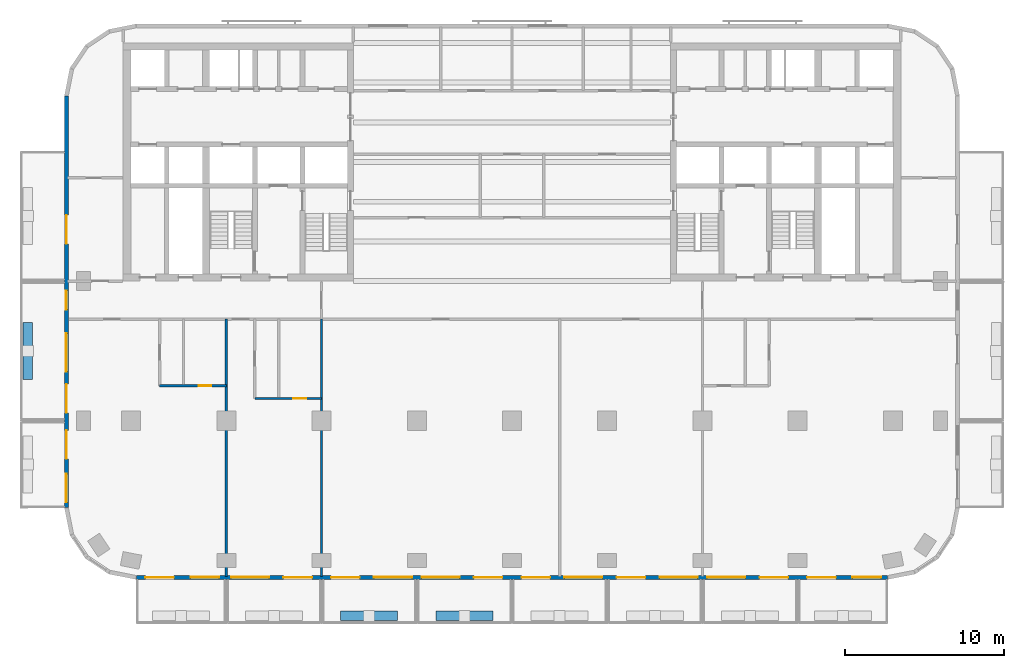
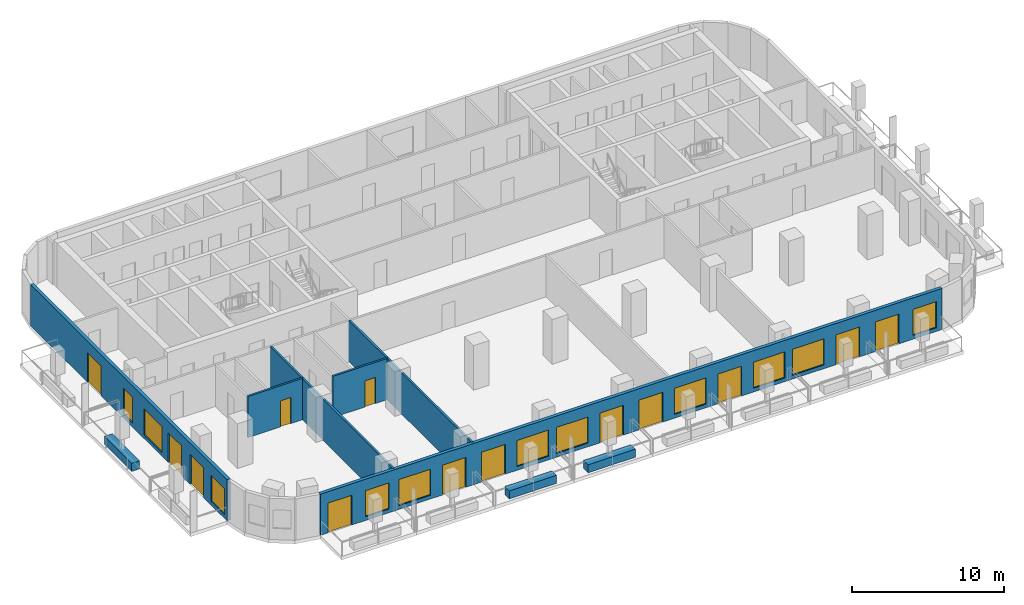
# One storey, part 2 of 11: 13 doors, 11 windows, 9 walls, 24 openings.
"""IFC4 building model written with IfcOpenShell, lengths in metres."""

from ifc_helpers import new_model, si_unit, direction, frame, frame_2d, origin, place, context, subcontext, project, spatial, rectangle, extrude, material, layer, layer_set, type_object, element, fill, save


model = new_model("IFC4")

# Units and contexts
model_context = context("Model", 3, precision=1e-05, world=origin(), true_north=direction((0.0, 1.0)))
body_context = subcontext(model_context, "Body", "Model", "MODEL_VIEW")
ifc_project = project(units=[si_unit("LENGTHUNIT", "METRE"), si_unit("AREAUNIT", "SQUARE_METRE"), si_unit("VOLUMEUNIT", "CUBIC_METRE"), si_unit("PLANEANGLEUNIT", "RADIAN"), si_unit("MASSUNIT", "GRAM", prefix="KILO")], contexts=[model_context])

# Site, building, storey
site_placement = place(None, origin())
site = spatial("IfcSite", under=ifc_project, at=site_placement, CompositionType="ELEMENT")
building_placement = place(site_placement, origin())
building = spatial("IfcBuilding", under=site, at=building_placement, Name="Torana Hotel and Residences", CompositionType="ELEMENT")
storey_placement = place(building_placement, frame((0.0, 0.0, 170.39990234375)))
storey = spatial("IfcBuildingStorey", under=building, at=storey_placement, Name="L44", CompositionType="ELEMENT", Elevation=170.39990234375)

# Wall, openings, doors, windows
ifc_material_1 = material(Name="Black aluminium composite panel", Category="aluminium")
ifc_layer_1 = layer(ifc_material_1, 0.00390625, Name="Cladding", Category="cladding")
ifc_material_2 = material(Name="Ventilated air cavity")
ifc_layer_2 = layer(ifc_material_2, 0.0400390625, Name="Ventilated cavity", Category="cavity")
ifc_material_3 = material(Name="Mineral wool insulation")
ifc_layer_3 = layer(ifc_material_3, 0.090087890625, Name="Insulation", Category="insulation")
ifc_material_4 = material(Name="Steel S280GD", Category="steel")
ifc_layer_4 = layer(ifc_material_4, 0.092041015625, Name="Steel stud frame", Category="structure")
ifc_material_5 = material(Name="Fire rated plasterboard")
ifc_layer_5 = layer(ifc_material_5, 0.011962890625, Name="Inner board", Category="finish")
ifc_layer_6 = layer(ifc_material_5, 0.011962890625, Name="Second board", Category="finish")
ifc_layer_set_1 = layer_set([ifc_layer_1, ifc_layer_2, ifc_layer_3, ifc_layer_4, ifc_layer_5, ifc_layer_6], Name="EW1 EXTERNAL WALL BLACK METAL CLAD 250")
wall_type_1 = type_object("IfcWallType", Name="EW1 EXTERNAL WALL BLACK METAL CLAD 250", PredefinedType="SOLIDWALL", material=ifc_layer_set_1)
wall_1_placement = place(storey_placement, frame((-28.074951171875, -3.32470703125, 0.0), z_axis=(0.0, 0.0, 1.0), x_axis=(0.0, -1.0, 0.0)))
wall_1 = element("IfcWall", 1, at=wall_1_placement, inside=storey, type_object=wall_type_1, Name="External wall L44 e0.9", PredefinedType="SOLIDWALL", context=body_context, shape_type="SweptSolid", body=[
    extrude(rectangle(XDim=25.95068359375, YDim=0.25, at=frame_2d((12.975341796875, 0.0))), origin(), (0.0, 0.0, 1.0), 3.320068359375),
])
opening_1_placement = place(wall_1_placement, frame((7.525390625, 0.0, 0.0)))
opening_1 = element("IfcOpeningElement", 2, at=opening_1_placement, cuts=wall_1, Name="Opening L44-E12", PredefinedType="OPENING", context=body_context, shape_type="SweptSolid", body=[
    extrude(rectangle(XDim=1.800048828125, YDim=2.39990234375, at=frame_2d((0.89990234375, 1.199951171875))), frame((0.0, 0.135009765625, 0.0), z_axis=(0.0, -1.0, 0.0), x_axis=(1.0, 0.0, 0.0)), (0.0, 0.0, 1.0), 0.27001953125),
])
opening_2_placement = place(wall_1_placement, frame((12.275390625, 0.0, 0.300048828125)))
opening_2 = element("IfcOpeningElement", 3, at=opening_2_placement, cuts=wall_1, Name="Opening W7", PredefinedType="OPENING", context=body_context, shape_type="SweptSolid", body=[
    extrude(rectangle(XDim=1.199951171875, YDim=2.10009765625, at=frame_2d((0.60009765625, 1.050048828125))), frame((0.0, 0.135009765625, 0.0), z_axis=(0.0, -1.0, 0.0), x_axis=(1.0, 0.0, 0.0)), (0.0, 0.0, 1.0), 0.27001953125),
])
opening_3_placement = place(wall_1_placement, frame((14.975341796875, 0.0, 0.300048828125)))
opening_3 = element("IfcOpeningElement", 4, at=opening_3_placement, cuts=wall_1, Name="Opening W1", PredefinedType="OPENING", context=body_context, shape_type="SweptSolid", body=[
    extrude(rectangle(XDim=2.39990234375, YDim=2.10009765625, at=frame_2d((1.199951171875, 1.050048828125))), frame((0.0, 0.135009765625, 0.0), z_axis=(0.0, -1.0, 0.0), x_axis=(1.0, 0.0, 0.0)), (0.0, 0.0, 1.0), 0.27001953125),
])
opening_4_placement = place(wall_1_placement, frame((18.17529296875, 0.0, 0.0)))
opening_4 = element("IfcOpeningElement", 5, at=opening_4_placement, cuts=wall_1, Name="Opening L44-E13", PredefinedType="OPENING", context=body_context, shape_type="SweptSolid", body=[
    extrude(rectangle(XDim=1.800048828125, YDim=2.39990234375, at=frame_2d((0.89990234375, 1.199951171875))), frame((0.0, 0.135009765625, 0.0), z_axis=(0.0, -1.0, 0.0), x_axis=(1.0, 0.0, 0.0)), (0.0, 0.0, 1.0), 0.27001953125),
])
opening_5_placement = place(wall_1_placement, frame((21.075439453125, 0.0, 0.0)))
opening_5 = element("IfcOpeningElement", 6, at=opening_5_placement, cuts=wall_1, Name="Opening L44-E14", PredefinedType="OPENING", context=body_context, shape_type="SweptSolid", body=[
    extrude(rectangle(XDim=1.800048828125, YDim=2.39990234375, at=frame_2d((0.89990234375, 1.199951171875))), frame((0.0, 0.135009765625, 0.0), z_axis=(0.0, -1.0, 0.0), x_axis=(1.0, 0.0, 0.0)), (0.0, 0.0, 1.0), 0.27001953125),
])
opening_6_placement = place(wall_1_placement, frame((23.825439453125, 0.0, 0.300048828125)))
opening_6 = element("IfcOpeningElement", 7, at=opening_6_placement, cuts=wall_1, Name="Opening W2", PredefinedType="OPENING", context=body_context, shape_type="SweptSolid", body=[
    extrude(rectangle(XDim=1.800048828125, YDim=2.10009765625, at=frame_2d((0.89990234375, 1.050048828125))), frame((0.0, 0.135009765625, 0.0), z_axis=(0.0, -1.0, 0.0), x_axis=(1.0, 0.0, 0.0)), (0.0, 0.0, 1.0), 0.27001953125),
])
ifc_material_6 = material(Name="Dark glass in black aluminium frame", Category="aluminium")
door_type_1 = type_object("IfcDoorType", Name="DB1 BALCONY DOOR 1800x2400", OperationType="DOUBLE_DOOR_SINGLE_SWING", PredefinedType="DOOR", material=ifc_material_6)
door_1_placement = place(opening_1_placement, origin())
door_1 = element("IfcDoor", 8, at=door_1_placement, inside=storey, type_object=door_type_1, Name="Balcony door L44", OperationType="DOUBLE_DOOR_SINGLE_SWING", OverallHeight=2.39990234375, OverallWidth=1.800048828125, PredefinedType="DOOR", context=body_context, shape_type="SweptSolid", body=[
    extrude(rectangle(XDim=1.800048828125, YDim=2.39990234375, at=frame_2d((0.89990234375, 1.199951171875))), frame((0.0, 0.02490234375, 0.0), z_axis=(0.0, -1.0, 0.0), x_axis=(1.0, 0.0, 0.0)), (0.0, 0.0, 1.0), 0.050048828125),
])
fill(opening_1, door_1)
door_2_placement = place(opening_4_placement, frame((0.89990234375, 0.0, 0.0), z_axis=(0.0, 0.0, 1.0), x_axis=(-1.0, 0.0, 0.0)))
door_2 = element("IfcDoor", 9, at=door_2_placement, inside=storey, type_object=door_type_1, Name="Balcony door L44", OperationType="DOUBLE_DOOR_SINGLE_SWING", OverallHeight=2.39990234375, OverallWidth=1.800048828125, PredefinedType="DOOR", context=body_context, shape_type="SweptSolid", body=[
    extrude(rectangle(XDim=1.800048828125, YDim=2.39990234375, at=frame_2d((0.0, 1.199951171875))), frame((0.0, -0.02490234375, 0.0), z_axis=(0.0, 1.0, 0.0), x_axis=(-1.0, 0.0, 0.0)), (0.0, 0.0, 1.0), 0.050048828125),
])
fill(opening_4, door_2)
door_3_placement = place(opening_5_placement, origin())
door_3 = element("IfcDoor", 10, at=door_3_placement, inside=storey, type_object=door_type_1, Name="Balcony door L44", OperationType="DOUBLE_DOOR_SINGLE_SWING", OverallHeight=2.39990234375, OverallWidth=1.800048828125, PredefinedType="DOOR", context=body_context, shape_type="SweptSolid", body=[
    extrude(rectangle(XDim=1.800048828125, YDim=2.39990234375, at=frame_2d((0.89990234375, 1.199951171875))), frame((0.0, 0.02490234375, 0.0), z_axis=(0.0, -1.0, 0.0), x_axis=(1.0, 0.0, 0.0)), (0.0, 0.0, 1.0), 0.050048828125),
])
fill(opening_5, door_3)
ifc_material_7 = material(Name="Dark glass in black aluminium frame", Category="aluminium")
window_type_1 = type_object("IfcWindowType", Name="W1 HOTEL ROOM WINDOW 2400x2100", PartitioningType="SINGLE_PANEL", PredefinedType="WINDOW", material=ifc_material_7)
window_1_placement = place(opening_3_placement, origin())
window_1 = element("IfcWindow", 11, at=window_1_placement, inside=storey, type_object=window_type_1, Name="Window L44", OverallHeight=2.10009765625, OverallWidth=2.39990234375, PartitioningType="SINGLE_PANEL", PredefinedType="WINDOW", context=body_context, shape_type="SweptSolid", body=[
    extrude(rectangle(XDim=2.39990234375, YDim=2.10009765625, at=frame_2d((1.199951171875, 1.050048828125))), frame((0.0, 0.030029296875, 0.0), z_axis=(0.0, -1.0, 0.0), x_axis=(1.0, 0.0, 0.0)), (0.0, 0.0, 1.0), 0.06005859375),
])
fill(opening_3, window_1)
ifc_material_8 = material(Name="Dark glass in black aluminium frame", Category="aluminium")
window_type_2 = type_object("IfcWindowType", Name="W2 HOTEL ROOM WINDOW NARROW 1800x2100", PartitioningType="SINGLE_PANEL", PredefinedType="WINDOW", material=ifc_material_8)
window_2_placement = place(opening_6_placement, origin())
window_2 = element("IfcWindow", 12, at=window_2_placement, inside=storey, type_object=window_type_2, Name="Window L44", OverallHeight=2.10009765625, OverallWidth=1.800048828125, PartitioningType="SINGLE_PANEL", PredefinedType="WINDOW", context=body_context, shape_type="SweptSolid", body=[
    extrude(rectangle(XDim=1.800048828125, YDim=2.10009765625, at=frame_2d((0.89990234375, 1.050048828125))), frame((0.0, 0.030029296875, 0.0), z_axis=(0.0, -1.0, 0.0), x_axis=(1.0, 0.0, 0.0)), (0.0, 0.0, 1.0), 0.06005859375),
])
fill(opening_6, window_2)
ifc_material_9 = material(Name="Dark glass in black aluminium frame", Category="aluminium")
window_type_3 = type_object("IfcWindowType", Name="W7 HOTEL CORRIDOR WINDOW 1200x2100", PartitioningType="SINGLE_PANEL", PredefinedType="WINDOW", material=ifc_material_9)
window_3_placement = place(opening_2_placement, origin())
window_3 = element("IfcWindow", 13, at=window_3_placement, inside=storey, type_object=window_type_3, Name="Window L44", OverallHeight=2.10009765625, OverallWidth=1.199951171875, PartitioningType="SINGLE_PANEL", PredefinedType="WINDOW", context=body_context, shape_type="SweptSolid", body=[
    extrude(rectangle(XDim=1.199951171875, YDim=2.10009765625, at=frame_2d((0.60009765625, 1.050048828125))), frame((0.0, 0.030029296875, 0.0), z_axis=(0.0, -1.0, 0.0), x_axis=(1.0, 0.0, 0.0)), (0.0, 0.0, 1.0), 0.06005859375),
])
fill(opening_2, window_3)

wall_2_placement = place(storey_placement, frame((-23.67529296875, -33.675048828125, 0.0), z_axis=(0.0, 0.0, 1.0), x_axis=(1.0, 0.0, 0.0)))
wall_2 = element("IfcWall", 14, at=wall_2_placement, inside=storey, type_object=wall_type_1, Name="External wall L44 e0.14", PredefinedType="SOLIDWALL", context=body_context, shape_type="SweptSolid", body=[
    extrude(rectangle(XDim=47.3505859375, YDim=0.25, at=frame_2d((23.67529296875, 0.0))), origin(), (0.0, 0.0, 1.0), 3.320068359375),
])
opening_7_placement = place(wall_2_placement, frame((0.575439453125, 0.0, 0.0)))
opening_7 = element("IfcOpeningElement", 15, at=opening_7_placement, cuts=wall_2, Name="Opening L44-E01", PredefinedType="OPENING", context=body_context, shape_type="SweptSolid", body=[
    extrude(rectangle(XDim=1.800048828125, YDim=2.39990234375, at=frame_2d((0.89990234375, 1.199951171875))), frame((0.0, 0.135009765625, 0.0), z_axis=(0.0, -1.0, 0.0), x_axis=(1.0, 0.0, 0.0)), (0.0, 0.0, 1.0), 0.27001953125),
])
opening_8_placement = place(wall_2_placement, frame((3.42529296875, 0.0, 0.300048828125)))
opening_8 = element("IfcOpeningElement", 16, at=opening_8_placement, cuts=wall_2, Name="Opening W2", PredefinedType="OPENING", context=body_context, shape_type="SweptSolid", body=[
    extrude(rectangle(XDim=1.800048828125, YDim=2.10009765625, at=frame_2d((0.89990234375, 1.050048828125))), frame((0.0, 0.135009765625, 0.0), z_axis=(0.0, -1.0, 0.0), x_axis=(1.0, 0.0, 0.0)), (0.0, 0.0, 1.0), 0.27001953125),
])
opening_9_placement = place(wall_2_placement, frame((5.975341796875, 0.0, 0.300048828125)))
opening_9 = element("IfcOpeningElement", 17, at=opening_9_placement, cuts=wall_2, Name="Opening W1", PredefinedType="OPENING", context=body_context, shape_type="SweptSolid", body=[
    extrude(rectangle(XDim=2.39990234375, YDim=2.10009765625, at=frame_2d((1.199951171875, 1.050048828125))), frame((0.0, 0.135009765625, 0.0), z_axis=(0.0, -1.0, 0.0), x_axis=(1.0, 0.0, 0.0)), (0.0, 0.0, 1.0), 0.27001953125),
])
opening_10_placement = place(wall_2_placement, frame((9.275390625, 0.0, 0.0)))
opening_10 = element("IfcOpeningElement", 18, at=opening_10_placement, cuts=wall_2, Name="Opening L44-E02", PredefinedType="OPENING", context=body_context, shape_type="SweptSolid", body=[
    extrude(rectangle(XDim=1.800048828125, YDim=2.39990234375, at=frame_2d((0.89990234375, 1.199951171875))), frame((0.0, 0.135009765625, 0.0), z_axis=(0.0, -1.0, 0.0), x_axis=(1.0, 0.0, 0.0)), (0.0, 0.0, 1.0), 0.27001953125),
])
opening_11_placement = place(wall_2_placement, frame((12.275390625, 0.0, 0.0)))
opening_11 = element("IfcOpeningElement", 19, at=opening_11_placement, cuts=wall_2, Name="Opening L44-E03", PredefinedType="OPENING", context=body_context, shape_type="SweptSolid", body=[
    extrude(rectangle(XDim=1.800048828125, YDim=2.39990234375, at=frame_2d((0.89990234375, 1.199951171875))), frame((0.0, 0.135009765625, 0.0), z_axis=(0.0, -1.0, 0.0), x_axis=(1.0, 0.0, 0.0)), (0.0, 0.0, 1.0), 0.27001953125),
])
opening_12_placement = place(wall_2_placement, frame((14.975341796875, 0.0, 0.300048828125)))
opening_12 = element("IfcOpeningElement", 20, at=opening_12_placement, cuts=wall_2, Name="Opening W1", PredefinedType="OPENING", context=body_context, shape_type="SweptSolid", body=[
    extrude(rectangle(XDim=2.39990234375, YDim=2.10009765625, at=frame_2d((1.199951171875, 1.050048828125))), frame((0.0, 0.135009765625, 0.0), z_axis=(0.0, -1.0, 0.0), x_axis=(1.0, 0.0, 0.0)), (0.0, 0.0, 1.0), 0.27001953125),
])
opening_13_placement = place(wall_2_placement, frame((17.975341796875, 0.0, 0.300048828125)))
opening_13 = element("IfcOpeningElement", 21, at=opening_13_placement, cuts=wall_2, Name="Opening W1", PredefinedType="OPENING", context=body_context, shape_type="SweptSolid", body=[
    extrude(rectangle(XDim=2.39990234375, YDim=2.10009765625, at=frame_2d((1.199951171875, 1.050048828125))), frame((0.0, 0.135009765625, 0.0), z_axis=(0.0, -1.0, 0.0), x_axis=(1.0, 0.0, 0.0)), (0.0, 0.0, 1.0), 0.27001953125),
])
opening_14_placement = place(wall_2_placement, frame((21.275390625, 0.0, 0.0)))
opening_14 = element("IfcOpeningElement", 22, at=opening_14_placement, cuts=wall_2, Name="Opening L44-E04", PredefinedType="OPENING", context=body_context, shape_type="SweptSolid", body=[
    extrude(rectangle(XDim=1.800048828125, YDim=2.39990234375, at=frame_2d((0.89990234375, 1.199951171875))), frame((0.0, 0.135009765625, 0.0), z_axis=(0.0, -1.0, 0.0), x_axis=(1.0, 0.0, 0.0)), (0.0, 0.0, 1.0), 0.27001953125),
])
opening_15_placement = place(wall_2_placement, frame((24.275390625, 0.0, 0.0)))
opening_15 = element("IfcOpeningElement", 23, at=opening_15_placement, cuts=wall_2, Name="Opening L44-E05", PredefinedType="OPENING", context=body_context, shape_type="SweptSolid", body=[
    extrude(rectangle(XDim=1.800048828125, YDim=2.39990234375, at=frame_2d((0.89990234375, 1.199951171875))), frame((0.0, 0.135009765625, 0.0), z_axis=(0.0, -1.0, 0.0), x_axis=(1.0, 0.0, 0.0)), (0.0, 0.0, 1.0), 0.27001953125),
])
opening_16_placement = place(wall_2_placement, frame((26.975341796875, 0.0, 0.300048828125)))
opening_16 = element("IfcOpeningElement", 24, at=opening_16_placement, cuts=wall_2, Name="Opening W1", PredefinedType="OPENING", context=body_context, shape_type="SweptSolid", body=[
    extrude(rectangle(XDim=2.39990234375, YDim=2.10009765625, at=frame_2d((1.199951171875, 1.050048828125))), frame((0.0, 0.135009765625, 0.0), z_axis=(0.0, -1.0, 0.0), x_axis=(1.0, 0.0, 0.0)), (0.0, 0.0, 1.0), 0.27001953125),
])
opening_17_placement = place(wall_2_placement, frame((30.275390625, 0.0, 0.0)))
opening_17 = element("IfcOpeningElement", 25, at=opening_17_placement, cuts=wall_2, Name="Opening L44-E06", PredefinedType="OPENING", context=body_context, shape_type="SweptSolid", body=[
    extrude(rectangle(XDim=1.800048828125, YDim=2.39990234375, at=frame_2d((0.89990234375, 1.199951171875))), frame((0.0, 0.135009765625, 0.0), z_axis=(0.0, -1.0, 0.0), x_axis=(1.0, 0.0, 0.0)), (0.0, 0.0, 1.0), 0.27001953125),
])
opening_18_placement = place(wall_2_placement, frame((32.975341796875, 0.0, 0.300048828125)))
opening_18 = element("IfcOpeningElement", 26, at=opening_18_placement, cuts=wall_2, Name="Opening W1", PredefinedType="OPENING", context=body_context, shape_type="SweptSolid", body=[
    extrude(rectangle(XDim=2.39990234375, YDim=2.10009765625, at=frame_2d((1.199951171875, 1.050048828125))), frame((0.0, 0.135009765625, 0.0), z_axis=(0.0, -1.0, 0.0), x_axis=(1.0, 0.0, 0.0)), (0.0, 0.0, 1.0), 0.27001953125),
])
opening_19_placement = place(wall_2_placement, frame((35.975341796875, 0.0, 0.300048828125)))
opening_19 = element("IfcOpeningElement", 27, at=opening_19_placement, cuts=wall_2, Name="Opening W1", PredefinedType="OPENING", context=body_context, shape_type="SweptSolid", body=[
    extrude(rectangle(XDim=2.39990234375, YDim=2.10009765625, at=frame_2d((1.199951171875, 1.050048828125))), frame((0.0, 0.135009765625, 0.0), z_axis=(0.0, -1.0, 0.0), x_axis=(1.0, 0.0, 0.0)), (0.0, 0.0, 1.0), 0.27001953125),
])
opening_20_placement = place(wall_2_placement, frame((39.275390625, 0.0, 0.0)))
opening_20 = element("IfcOpeningElement", 28, at=opening_20_placement, cuts=wall_2, Name="Opening L44-E07", PredefinedType="OPENING", context=body_context, shape_type="SweptSolid", body=[
    extrude(rectangle(XDim=1.800048828125, YDim=2.39990234375, at=frame_2d((0.89990234375, 1.199951171875))), frame((0.0, 0.135009765625, 0.0), z_axis=(0.0, -1.0, 0.0), x_axis=(1.0, 0.0, 0.0)), (0.0, 0.0, 1.0), 0.27001953125),
])
opening_21_placement = place(wall_2_placement, frame((42.275390625, 0.0, 0.0)))
opening_21 = element("IfcOpeningElement", 29, at=opening_21_placement, cuts=wall_2, Name="Opening L44-E08", PredefinedType="OPENING", context=body_context, shape_type="SweptSolid", body=[
    extrude(rectangle(XDim=1.800048828125, YDim=2.39990234375, at=frame_2d((0.89990234375, 1.199951171875))), frame((0.0, 0.135009765625, 0.0), z_axis=(0.0, -1.0, 0.0), x_axis=(1.0, 0.0, 0.0)), (0.0, 0.0, 1.0), 0.27001953125),
])
opening_22_placement = place(wall_2_placement, frame((45.12548828125, 0.0, 0.300048828125)))
opening_22 = element("IfcOpeningElement", 30, at=opening_22_placement, cuts=wall_2, Name="Opening W2", PredefinedType="OPENING", context=body_context, shape_type="SweptSolid", body=[
    extrude(rectangle(XDim=1.800048828125, YDim=2.10009765625, at=frame_2d((0.89990234375, 1.050048828125))), frame((0.0, 0.135009765625, 0.0), z_axis=(0.0, -1.0, 0.0), x_axis=(1.0, 0.0, 0.0)), (0.0, 0.0, 1.0), 0.27001953125),
])
door_4_placement = place(opening_7_placement, origin())
door_4 = element("IfcDoor", 31, at=door_4_placement, inside=storey, type_object=door_type_1, Name="Balcony door L44", OperationType="DOUBLE_DOOR_SINGLE_SWING", OverallHeight=2.39990234375, OverallWidth=1.800048828125, PredefinedType="DOOR", context=body_context, shape_type="SweptSolid", body=[
    extrude(rectangle(XDim=1.800048828125, YDim=2.39990234375, at=frame_2d((0.89990234375, 1.199951171875))), frame((0.0, 0.02490234375, 0.0), z_axis=(0.0, -1.0, 0.0), x_axis=(1.0, 0.0, 0.0)), (0.0, 0.0, 1.0), 0.050048828125),
])
fill(opening_7, door_4)
door_5_placement = place(opening_10_placement, origin())
door_5 = element("IfcDoor", 32, at=door_5_placement, inside=storey, type_object=door_type_1, Name="Balcony door L44", OperationType="DOUBLE_DOOR_SINGLE_SWING", OverallHeight=2.39990234375, OverallWidth=1.800048828125, PredefinedType="DOOR", context=body_context, shape_type="SweptSolid", body=[
    extrude(rectangle(XDim=1.800048828125, YDim=2.39990234375, at=frame_2d((0.89990234375, 1.199951171875))), frame((0.0, 0.02490234375, 0.0), z_axis=(0.0, -1.0, 0.0), x_axis=(1.0, 0.0, 0.0)), (0.0, 0.0, 1.0), 0.050048828125),
])
fill(opening_10, door_5)
door_6_placement = place(opening_11_placement, origin())
door_6 = element("IfcDoor", 33, at=door_6_placement, inside=storey, type_object=door_type_1, Name="Balcony door L44", OperationType="DOUBLE_DOOR_SINGLE_SWING", OverallHeight=2.39990234375, OverallWidth=1.800048828125, PredefinedType="DOOR", context=body_context, shape_type="SweptSolid", body=[
    extrude(rectangle(XDim=1.800048828125, YDim=2.39990234375, at=frame_2d((0.89990234375, 1.199951171875))), frame((0.0, 0.02490234375, 0.0), z_axis=(0.0, -1.0, 0.0), x_axis=(1.0, 0.0, 0.0)), (0.0, 0.0, 1.0), 0.050048828125),
])
fill(opening_11, door_6)
door_7_placement = place(opening_14_placement, origin())
door_7 = element("IfcDoor", 34, at=door_7_placement, inside=storey, type_object=door_type_1, Name="Balcony door L44", OperationType="DOUBLE_DOOR_SINGLE_SWING", OverallHeight=2.39990234375, OverallWidth=1.800048828125, PredefinedType="DOOR", context=body_context, shape_type="SweptSolid", body=[
    extrude(rectangle(XDim=1.800048828125, YDim=2.39990234375, at=frame_2d((0.89990234375, 1.199951171875))), frame((0.0, 0.02490234375, 0.0), z_axis=(0.0, -1.0, 0.0), x_axis=(1.0, 0.0, 0.0)), (0.0, 0.0, 1.0), 0.050048828125),
])
fill(opening_14, door_7)
door_8_placement = place(opening_15_placement, origin())
door_8 = element("IfcDoor", 35, at=door_8_placement, inside=storey, type_object=door_type_1, Name="Balcony door L44", OperationType="DOUBLE_DOOR_SINGLE_SWING", OverallHeight=2.39990234375, OverallWidth=1.800048828125, PredefinedType="DOOR", context=body_context, shape_type="SweptSolid", body=[
    extrude(rectangle(XDim=1.800048828125, YDim=2.39990234375, at=frame_2d((0.89990234375, 1.199951171875))), frame((0.0, 0.02490234375, 0.0), z_axis=(0.0, -1.0, 0.0), x_axis=(1.0, 0.0, 0.0)), (0.0, 0.0, 1.0), 0.050048828125),
])
fill(opening_15, door_8)
door_9_placement = place(opening_17_placement, origin())
door_9 = element("IfcDoor", 36, at=door_9_placement, inside=storey, type_object=door_type_1, Name="Balcony door L44", OperationType="DOUBLE_DOOR_SINGLE_SWING", OverallHeight=2.39990234375, OverallWidth=1.800048828125, PredefinedType="DOOR", context=body_context, shape_type="SweptSolid", body=[
    extrude(rectangle(XDim=1.800048828125, YDim=2.39990234375, at=frame_2d((0.89990234375, 1.199951171875))), frame((0.0, 0.02490234375, 0.0), z_axis=(0.0, -1.0, 0.0), x_axis=(1.0, 0.0, 0.0)), (0.0, 0.0, 1.0), 0.050048828125),
])
fill(opening_17, door_9)
door_10_placement = place(opening_20_placement, origin())
door_10 = element("IfcDoor", 37, at=door_10_placement, inside=storey, type_object=door_type_1, Name="Balcony door L44", OperationType="DOUBLE_DOOR_SINGLE_SWING", OverallHeight=2.39990234375, OverallWidth=1.800048828125, PredefinedType="DOOR", context=body_context, shape_type="SweptSolid", body=[
    extrude(rectangle(XDim=1.800048828125, YDim=2.39990234375, at=frame_2d((0.89990234375, 1.199951171875))), frame((0.0, 0.02490234375, 0.0), z_axis=(0.0, -1.0, 0.0), x_axis=(1.0, 0.0, 0.0)), (0.0, 0.0, 1.0), 0.050048828125),
])
fill(opening_20, door_10)
door_11_placement = place(opening_21_placement, origin())
door_11 = element("IfcDoor", 38, at=door_11_placement, inside=storey, type_object=door_type_1, Name="Balcony door L44", OperationType="DOUBLE_DOOR_SINGLE_SWING", OverallHeight=2.39990234375, OverallWidth=1.800048828125, PredefinedType="DOOR", context=body_context, shape_type="SweptSolid", body=[
    extrude(rectangle(XDim=1.800048828125, YDim=2.39990234375, at=frame_2d((0.89990234375, 1.199951171875))), frame((0.0, 0.02490234375, 0.0), z_axis=(0.0, -1.0, 0.0), x_axis=(1.0, 0.0, 0.0)), (0.0, 0.0, 1.0), 0.050048828125),
])
fill(opening_21, door_11)
window_4_placement = place(opening_9_placement, origin())
window_4 = element("IfcWindow", 39, at=window_4_placement, inside=storey, type_object=window_type_1, Name="Window L44", OverallHeight=2.10009765625, OverallWidth=2.39990234375, PartitioningType="SINGLE_PANEL", PredefinedType="WINDOW", context=body_context, shape_type="SweptSolid", body=[
    extrude(rectangle(XDim=2.39990234375, YDim=2.10009765625, at=frame_2d((1.199951171875, 1.050048828125))), frame((0.0, 0.030029296875, 0.0), z_axis=(0.0, -1.0, 0.0), x_axis=(1.0, 0.0, 0.0)), (0.0, 0.0, 1.0), 0.06005859375),
])
fill(opening_9, window_4)
window_5_placement = place(opening_12_placement, origin())
window_5 = element("IfcWindow", 40, at=window_5_placement, inside=storey, type_object=window_type_1, Name="Window L44", OverallHeight=2.10009765625, OverallWidth=2.39990234375, PartitioningType="SINGLE_PANEL", PredefinedType="WINDOW", context=body_context, shape_type="SweptSolid", body=[
    extrude(rectangle(XDim=2.39990234375, YDim=2.10009765625, at=frame_2d((1.199951171875, 1.050048828125))), frame((0.0, 0.030029296875, 0.0), z_axis=(0.0, -1.0, 0.0), x_axis=(1.0, 0.0, 0.0)), (0.0, 0.0, 1.0), 0.06005859375),
])
fill(opening_12, window_5)
window_6_placement = place(opening_13_placement, origin())
window_6 = element("IfcWindow", 41, at=window_6_placement, inside=storey, type_object=window_type_1, Name="Window L44", OverallHeight=2.10009765625, OverallWidth=2.39990234375, PartitioningType="SINGLE_PANEL", PredefinedType="WINDOW", context=body_context, shape_type="SweptSolid", body=[
    extrude(rectangle(XDim=2.39990234375, YDim=2.10009765625, at=frame_2d((1.199951171875, 1.050048828125))), frame((0.0, 0.030029296875, 0.0), z_axis=(0.0, -1.0, 0.0), x_axis=(1.0, 0.0, 0.0)), (0.0, 0.0, 1.0), 0.06005859375),
])
fill(opening_13, window_6)
window_7_placement = place(opening_16_placement, origin())
window_7 = element("IfcWindow", 42, at=window_7_placement, inside=storey, type_object=window_type_1, Name="Window L44", OverallHeight=2.10009765625, OverallWidth=2.39990234375, PartitioningType="SINGLE_PANEL", PredefinedType="WINDOW", context=body_context, shape_type="SweptSolid", body=[
    extrude(rectangle(XDim=2.39990234375, YDim=2.10009765625, at=frame_2d((1.199951171875, 1.050048828125))), frame((0.0, 0.030029296875, 0.0), z_axis=(0.0, -1.0, 0.0), x_axis=(1.0, 0.0, 0.0)), (0.0, 0.0, 1.0), 0.06005859375),
])
fill(opening_16, window_7)
window_8_placement = place(opening_18_placement, origin())
window_8 = element("IfcWindow", 43, at=window_8_placement, inside=storey, type_object=window_type_1, Name="Window L44", OverallHeight=2.10009765625, OverallWidth=2.39990234375, PartitioningType="SINGLE_PANEL", PredefinedType="WINDOW", context=body_context, shape_type="SweptSolid", body=[
    extrude(rectangle(XDim=2.39990234375, YDim=2.10009765625, at=frame_2d((1.199951171875, 1.050048828125))), frame((0.0, 0.030029296875, 0.0), z_axis=(0.0, -1.0, 0.0), x_axis=(1.0, 0.0, 0.0)), (0.0, 0.0, 1.0), 0.06005859375),
])
fill(opening_18, window_8)
window_9_placement = place(opening_19_placement, origin())
window_9 = element("IfcWindow", 44, at=window_9_placement, inside=storey, type_object=window_type_1, Name="Window L44", OverallHeight=2.10009765625, OverallWidth=2.39990234375, PartitioningType="SINGLE_PANEL", PredefinedType="WINDOW", context=body_context, shape_type="SweptSolid", body=[
    extrude(rectangle(XDim=2.39990234375, YDim=2.10009765625, at=frame_2d((1.199951171875, 1.050048828125))), frame((0.0, 0.030029296875, 0.0), z_axis=(0.0, -1.0, 0.0), x_axis=(1.0, 0.0, 0.0)), (0.0, 0.0, 1.0), 0.06005859375),
])
fill(opening_19, window_9)
window_10_placement = place(opening_8_placement, origin())
window_10 = element("IfcWindow", 45, at=window_10_placement, inside=storey, type_object=window_type_2, Name="Window L44", OverallHeight=2.10009765625, OverallWidth=1.800048828125, PartitioningType="SINGLE_PANEL", PredefinedType="WINDOW", context=body_context, shape_type="SweptSolid", body=[
    extrude(rectangle(XDim=1.800048828125, YDim=2.10009765625, at=frame_2d((0.89990234375, 1.050048828125))), frame((0.0, 0.030029296875, 0.0), z_axis=(0.0, -1.0, 0.0), x_axis=(1.0, 0.0, 0.0)), (0.0, 0.0, 1.0), 0.06005859375),
])
fill(opening_8, window_10)
window_11_placement = place(opening_22_placement, origin())
window_11 = element("IfcWindow", 46, at=window_11_placement, inside=storey, type_object=window_type_2, Name="Window L44", OverallHeight=2.10009765625, OverallWidth=1.800048828125, PartitioningType="SINGLE_PANEL", PredefinedType="WINDOW", context=body_context, shape_type="SweptSolid", body=[
    extrude(rectangle(XDim=1.800048828125, YDim=2.10009765625, at=frame_2d((0.89990234375, 1.050048828125))), frame((0.0, 0.030029296875, 0.0), z_axis=(0.0, -1.0, 0.0), x_axis=(1.0, 0.0, 0.0)), (0.0, 0.0, 1.0), 0.06005859375),
])
fill(opening_22, window_11)

# Walls
ifc_material_10 = material(Name="Gypsum plasterboard")
ifc_layer_7 = layer(ifc_material_10, 0.012451171875, Name="Plasterboard", Category="finish")
ifc_layer_8 = layer(ifc_material_10, 0.012451171875, Name="Plasterboard", Category="finish")
ifc_layer_9 = layer(ifc_material_4, 0.10009765625, Name="Steel studs with mineral wool", Category="insulation")
ifc_layer_10 = layer(ifc_material_10, 0.012451171875, Name="Plasterboard", Category="finish")
ifc_layer_11 = layer(ifc_material_10, 0.012451171875, Name="Plasterboard", Category="finish")
ifc_layer_set_2 = layer_set([ifc_layer_7, ifc_layer_8, ifc_layer_9, ifc_layer_10, ifc_layer_11], Name="PARTITION 150 PLASTERBOARD")
wall_type_2 = type_object("IfcWallType", Name="PARTITION 150 PLASTERBOARD", PredefinedType="PARTITIONING", material=ifc_layer_set_2)
for number, where, z_axis, x_axis, name in (
    (47, (-12.0, -33.6201171875, 0.0), (0.0, 0.0, 1.0), (0.0, 1.0, 0.0), "Partition L44"),
    (48, (-18.0, -33.6201171875, 0.0), (0.0, 0.0, 1.0), (0.0, 1.0, 0.0), "Partition L44"),
):
    element("IfcWall", number, at=place(storey_placement, frame(where, z_axis=z_axis, x_axis=x_axis)), inside=storey, type_object=wall_type_2, Name=name, PredefinedType="PARTITIONING", context=body_context, shape_type="SweptSolid", body=[
        extrude(rectangle(XDim=16.22021484375, YDim=0.14990234375, at=frame_2d((8.110107421875, 0.0))), origin(), (0.0, 0.0, 1.0), 3.320068359375),
    ])

# Wall, opening, door
wall_3_placement = place(storey_placement, frame((-16.199951171875, -22.39990234375, 0.0), z_axis=(0.0, 0.0, 1.0), x_axis=(1.0, 0.0, 0.0)))
wall_3 = element("IfcWall", 49, at=wall_3_placement, inside=storey, type_object=wall_type_2, Name="Partition L44", PredefinedType="PARTITIONING", context=body_context, shape_type="SweptSolid", body=[
    extrude(rectangle(XDim=4.199951171875, YDim=0.14990234375, at=frame_2d((2.10009765625, 0.0))), origin(), (0.0, 0.0, 1.0), 3.320068359375),
])
opening_23_placement = place(wall_3_placement, frame((2.429931640625, 0.0, 0.0)))
opening_23 = element("IfcOpeningElement", 50, at=opening_23_placement, cuts=wall_3, Name="Opening L44-50", PredefinedType="OPENING", context=body_context, shape_type="SweptSolid", body=[
    extrude(rectangle(XDim=0.800048828125, YDim=2.10009765625, at=frame_2d((0.39990234375, 1.050048828125))), frame((0.0, 0.0849609375, 0.0), z_axis=(0.0, -1.0, 0.0), x_axis=(1.0, 0.0, 0.0)), (0.0, 0.0, 1.0), 0.169921875),
])
ifc_material_11 = material(Name="Timber door, painted", Category="wood")
door_type_2 = type_object("IfcDoorType", Name="BATH DOOR D13 800x2100", OperationType="SINGLE_SWING_LEFT", PredefinedType="DOOR", material=ifc_material_11)
door_12_placement = place(opening_23_placement, origin())
door_12 = element("IfcDoor", 51, at=door_12_placement, inside=storey, type_object=door_type_2, Name="Door L44", OperationType="SINGLE_SWING_RIGHT", OverallHeight=2.10009765625, OverallWidth=0.800048828125, PredefinedType="DOOR", context=body_context, shape_type="SweptSolid", body=[
    extrude(rectangle(XDim=0.800048828125, YDim=2.10009765625, at=frame_2d((0.39990234375, 1.050048828125))), frame((0.0, 0.02490234375, 0.0), z_axis=(0.0, -1.0, 0.0), x_axis=(1.0, 0.0, 0.0)), (0.0, 0.0, 1.0), 0.050048828125),
])
fill(opening_23, door_12)

wall_4_placement = place(storey_placement, frame((-22.199951171875, -21.60009765625, 0.0), z_axis=(0.0, 0.0, 1.0), x_axis=(1.0, 0.0, 0.0)))
wall_4 = element("IfcWall", 52, at=wall_4_placement, inside=storey, type_object=wall_type_2, Name="Partition L44", PredefinedType="PARTITIONING", context=body_context, shape_type="SweptSolid", body=[
    extrude(rectangle(XDim=4.199951171875, YDim=0.14990234375, at=frame_2d((2.10009765625, 0.0))), origin(), (0.0, 0.0, 1.0), 3.320068359375),
])
opening_24_placement = place(wall_4_placement, frame((2.449951171875, 0.0, 0.0)))
opening_24 = element("IfcOpeningElement", 53, at=opening_24_placement, cuts=wall_4, Name="Opening L44-51", PredefinedType="OPENING", context=body_context, shape_type="SweptSolid", body=[
    extrude(rectangle(XDim=0.800048828125, YDim=2.10009765625, at=frame_2d((0.39990234375, 1.050048828125))), frame((0.0, 0.0849609375, 0.0), z_axis=(0.0, -1.0, 0.0), x_axis=(1.0, 0.0, 0.0)), (0.0, 0.0, 1.0), 0.169921875),
])
door_13_placement = place(opening_24_placement, origin())
door_13 = element("IfcDoor", 54, at=door_13_placement, inside=storey, type_object=door_type_2, Name="Door L44", OperationType="SINGLE_SWING_RIGHT", OverallHeight=2.10009765625, OverallWidth=0.800048828125, PredefinedType="DOOR", context=body_context, shape_type="SweptSolid", body=[
    extrude(rectangle(XDim=0.800048828125, YDim=2.10009765625, at=frame_2d((0.39990234375, 1.050048828125))), frame((0.0, 0.02490234375, 0.0), z_axis=(0.0, -1.0, 0.0), x_axis=(1.0, 0.0, 0.0)), (0.0, 0.0, 1.0), 0.050048828125),
])
fill(opening_24, door_13)

# Walls
ifc_material_12 = material(Name="Concrete C40/50 precast", Category="concrete")
ifc_layer_12 = layer(ifc_material_12, 0.10009765625, Name="Planter shell", Category="structure")
ifc_material_13 = material(Name="Root resistant membrane")
ifc_layer_13 = layer(ifc_material_13, 0.00390625, Name="Waterproofing membrane", Category="membrane")
ifc_material_14 = material(Name="Drainage board with filter fleece")
ifc_layer_14 = layer(ifc_material_14, 0.02001953125, Name="Drainage board", Category="drainage")
ifc_material_15 = material(Name="Growing medium")
ifc_layer_15 = layer(ifc_material_15, 0.47607421875, Name="Planting substrate", Category="soil")
ifc_layer_set_3 = layer_set([ifc_layer_12, ifc_layer_13, ifc_layer_14, ifc_layer_15], Name="PL1 BALCONY PLANTER 600")
wall_type_3 = type_object("IfcWallType", Name="PL1 BALCONY PLANTER 600", PredefinedType="USERDEFINED", material=ifc_layer_set_3)
for number, where, z_axis, x_axis, name in (
    (55, (-7.199951171875, -36.10009765625, 0.0), (0.0, 0.0, 1.0), (-1.0, 0.0, 0.0), "Planter 03"),
    (56, (-1.199951171875, -36.10009765625, 0.0), (0.0, 0.0, 1.0), (-1.0, 0.0, 0.0), "Planter 04"),
):
    element("IfcWall", number, at=place(storey_placement, frame(where, z_axis=z_axis, x_axis=x_axis)), inside=storey, type_object=wall_type_3, Name=name, ObjectType="PLANTER", PredefinedType="USERDEFINED", context=body_context, shape_type="SweptSolid", body=[
        extrude(rectangle(XDim=3.60009765625, YDim=0.60009765625, at=frame_2d((1.800048828125, 0.0))), origin(), (0.0, 0.0, 1.0), 0.650146484375),
    ])
wall_5_placement = place(storey_placement, frame((-30.5, -21.199951171875, 0.0), z_axis=(0.0, 0.0, 1.0), x_axis=(0.0, 1.0, 0.0)))
element("IfcWall", 57, at=wall_5_placement, inside=storey, type_object=wall_type_3, Name="Planter 10", ObjectType="PLANTER", PredefinedType="USERDEFINED", context=body_context, shape_type="SweptSolid", body=[
    extrude(rectangle(XDim=3.599853515625, YDim=0.60009765625, at=frame_2d((1.7998046875, 0.0))), origin(), (0.0, 0.0, 1.0), 0.650146484375),
])

save(model, "model.ifc")
